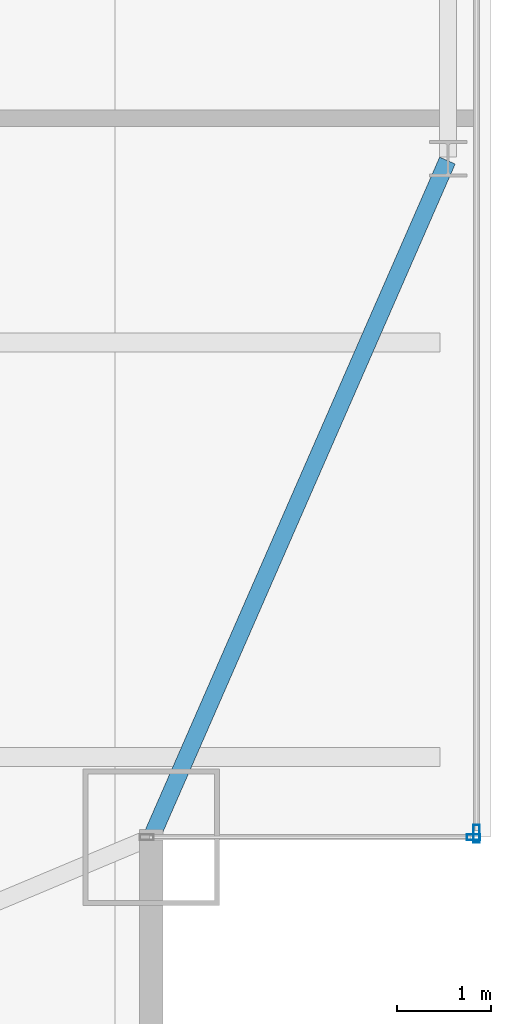
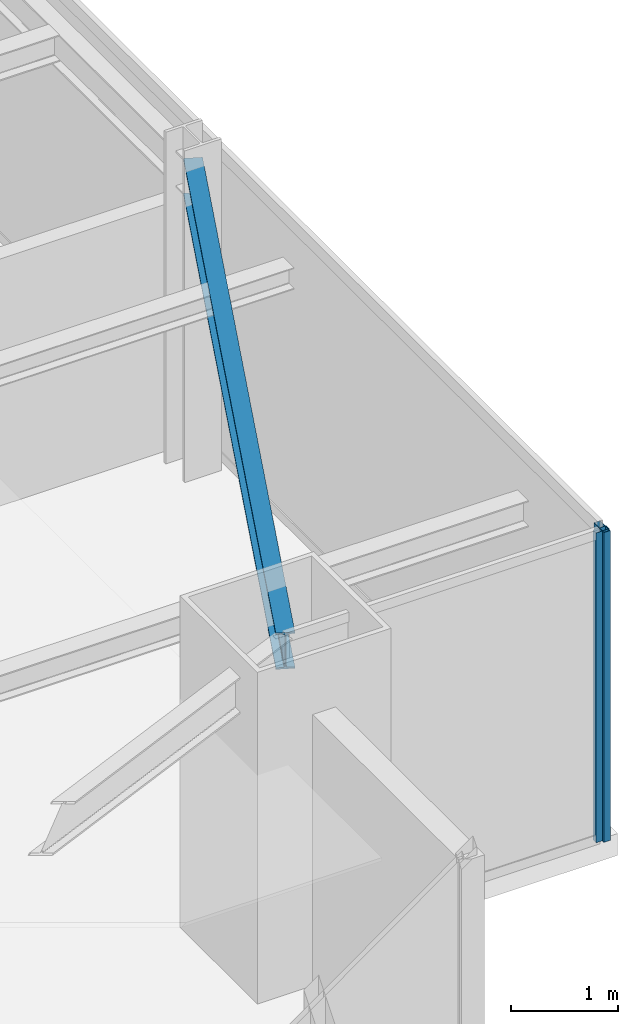
# One storey, part 16 of 33: 2 members, 1 beam, 2 elements without a shape of their own.
"""IFC4 building model written with IfcOpenShell, lengths in metres."""

from ifc_helpers import new_model, si_unit, direction, frame, origin, origin_2d, place, context, subcontext, project, spatial, hollow_rectangle, i_section, extrude, source, transform, mapped, material, layer, layer_set, material_profile, profile_set, type_object, type_shapes, element, aggregate, save


model = new_model("IFC4")

# Units and contexts
model_context = context("Model", 3, precision=1e-05, world=origin(), true_north=direction((0.0, 1.0)))
body_context = subcontext(model_context, "Body", "Model", "MODEL_VIEW")
ifc_project = project(units=[si_unit("LENGTHUNIT", "METRE"), si_unit("AREAUNIT", "SQUARE_METRE"), si_unit("VOLUMEUNIT", "CUBIC_METRE"), si_unit("PLANEANGLEUNIT", "RADIAN"), si_unit("MASSUNIT", "GRAM", prefix="KILO")], contexts=[model_context])

# Site, building, storey
site_placement = place(None, origin())
site = spatial("IfcSite", under=ifc_project, at=site_placement, CompositionType="ELEMENT")
building_placement = place(site_placement, origin())
building = spatial("IfcBuilding", under=site, at=building_placement, Name="Varnel Quay Broadcast Tower", CompositionType="ELEMENT")
storey_placement = place(building_placement, frame((0.0, 0.0, 129.60009765625)))
storey = spatial("IfcBuildingStorey", under=building, at=storey_placement, Name="L31", CompositionType="ELEMENT", Elevation=129.60009765625)

# Beam
ifc_material_1 = material(Name="Structural Steel CSA G40.21 350W", Category="steel")
ifc_material_profile_1 = material_profile(ifc_material_1, i_section(OverallWidth=0.180908203125, OverallDepth=0.4169921875, WebThickness=0.010986328125, FlangeThickness=0.018310546875, FilletRadius=0.011962890625, at=origin_2d()), Name="W410X85")
ifc_profile_set_1 = profile_set([ifc_material_profile_1], Name="Structural Steel CSA G40.21 350W")
beam_type = type_object("IfcBeamType", Name="Beam_W410X85", PredefinedType="SPANDREL", material=ifc_profile_set_1)
shared_shape_1 = source(origin(), body_context, "Body", "SweptSolid", [
    extrude(i_section(OverallWidth=0.180908203125, OverallDepth=0.4169921875, WebThickness=0.010986328125, FlangeThickness=0.018310546875, FilletRadius=0.011962890625, at=origin_2d()), origin(), (0.0, 0.0, 1.0), 7.81884765625),
])
type_shapes(beam_type, [shared_shape_1])
beam_placement = place(storey_placement, frame((59.907958984375, 7.818359375, 3.34130859375), z_axis=(0.400827023998, 0.916153751743, 0.0), x_axis=(-0.916153751743, 0.400827023998, 0.0)))
element("IfcBeam", 1, at=beam_placement, inside=storey, type_object=beam_type, Name="L31 East Spandrel MC-SE-TC-E1", PredefinedType="SPANDREL", context=body_context, shape_type="MappedRepresentation", body=[
    mapped(shared_shape_1, transform((0.0, 0.0, 0.0), x_axis=(1.0, 0.0, 0.0), y_axis=(0.0, 1.0, 0.0), z_axis=(0.0, 0.0, 1.0), scale=1.0)),
])

# Curtain wall, member
ifc_material_2 = material(Name="Anodised Bronze Aluminium 6063-T6", Category="aluminium")
ifc_layer_1 = layer(ifc_material_2, 0.18994140625, Name="Anodised Bronze Aluminium 6063-T6")
ifc_layer_set_1 = layer_set([ifc_layer_1], Name="Anodised Bronze Aluminium 6063-T6")
curtain_wall_type_1 = type_object("IfcCurtainWallType", Name="CW_LowerTower", PredefinedType="NOTDEFINED", material=ifc_layer_set_1)
curtain_wall_1_placement = place(storey_placement, origin())
curtain_wall_1 = element("IfcCurtainWall", 2, at=curtain_wall_1_placement, inside=storey, type_object=curtain_wall_type_1, Name="L31 East Unitised Curtain Wall", PredefinedType="NOTDEFINED")
ifc_material_profile_2 = material_profile(ifc_material_2, hollow_rectangle(XDim=0.070068359375, YDim=0.18994140625, WallThickness=0.00390625, at=origin_2d()), Name="ALU70X190X4")
ifc_profile_set_2 = profile_set([ifc_material_profile_2], Name="Anodised Bronze Aluminium 6063-T6")
member_type_1 = type_object("IfcMemberType", Name="Mull_CWS-02", PredefinedType="MULLION", material=ifc_profile_set_2)
shared_shape_2 = source(origin(), body_context, "Body", "SweptSolid", [
    extrude(hollow_rectangle(XDim=0.070068359375, YDim=0.18994140625, WallThickness=0.00390625, at=origin_2d()), origin(), (0.0, 0.0, 1.0), 3.5498046875),
])
type_shapes(member_type_1, [shared_shape_2])
member_1_placement = place(storey_placement, frame((63.35009765625, 7.8349609375, 0.0), z_axis=(0.0, 0.0, 1.0), x_axis=(-1.0, 0.0, 0.0)))
member_1 = element("IfcMember", 3, at=member_1_placement, type_object=member_type_1, Name="CWS-02 mullion 1", PredefinedType="MULLION", context=body_context, shape_type="MappedRepresentation", body=[
    mapped(shared_shape_2, transform((0.0, 0.0, 0.0), x_axis=(1.0, 0.0, 0.0), y_axis=(0.0, 1.0, 0.0), z_axis=(0.0, 0.0, 1.0), scale=1.0)),
])
aggregate(curtain_wall_1, [member_1])

ifc_layer_2 = layer(ifc_material_2, 0.18994140625, Name="Anodised Bronze Aluminium 6063-T6")
ifc_layer_set_2 = layer_set([ifc_layer_2], Name="Anodised Bronze Aluminium 6063-T6")
curtain_wall_type_2 = type_object("IfcCurtainWallType", Name="CW_NotchCorner", PredefinedType="NOTDEFINED", material=ifc_layer_set_2)
curtain_wall_2_placement = place(storey_placement, origin())
curtain_wall_2 = element("IfcCurtainWall", 4, at=curtain_wall_2_placement, inside=storey, type_object=curtain_wall_type_2, Name="L31 SE Notch Curtain Wall", PredefinedType="NOTDEFINED")
ifc_material_profile_3 = material_profile(ifc_material_2, hollow_rectangle(XDim=0.06005859375, YDim=0.14501953125, WallThickness=0.00341796875, at=origin_2d()), Name="ALU60X145X3.5")
ifc_profile_set_3 = profile_set([ifc_material_profile_3], Name="Anodised Bronze Aluminium 6063-T6")
member_type_2 = type_object("IfcMemberType", Name="Mull_CWS-04", PredefinedType="MULLION", material=ifc_profile_set_3)
shared_shape_3 = source(origin(), body_context, "Body", "SweptSolid", [
    extrude(hollow_rectangle(XDim=0.06005859375, YDim=0.14501953125, WallThickness=0.00341796875, at=origin_2d()), origin(), (0.0, 0.0, 1.0), 3.5498046875),
])
type_shapes(member_type_2, [shared_shape_3])
member_2_placement = place(storey_placement, frame((63.320068359375, 7.800048828125, 0.0), z_axis=(0.0, 0.0, 1.0), x_axis=(0.0, 1.0, 0.0)))
member_2 = element("IfcMember", 5, at=member_2_placement, type_object=member_type_2, Name="CWS-04 mullion 2", PredefinedType="MULLION", context=body_context, shape_type="MappedRepresentation", body=[
    mapped(shared_shape_3, transform((0.0, 0.0, 0.0), x_axis=(1.0, 0.0, 0.0), y_axis=(0.0, 1.0, 0.0), z_axis=(0.0, 0.0, 1.0), scale=1.0)),
])
aggregate(curtain_wall_2, [member_2])

save(model, "model.ifc")
